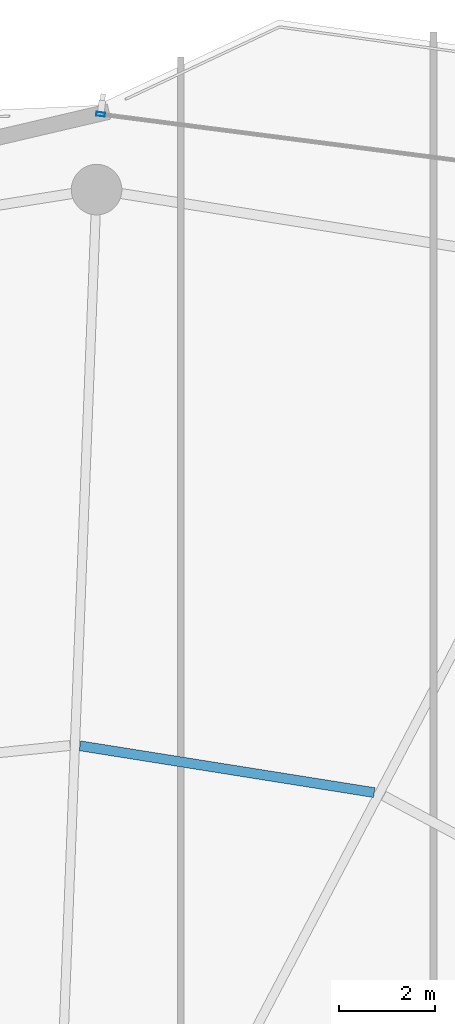
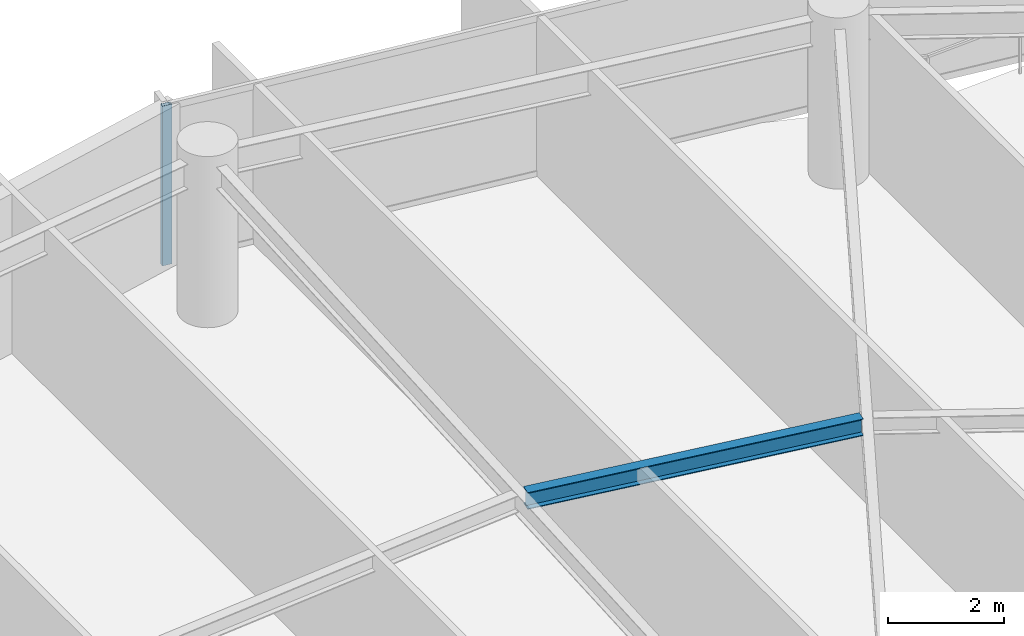
# One storey, part 20 of 31: 1 beam, 1 member, 1 element without a shape of its own.
"""IFC4 building model written with IfcOpenShell, lengths in metres."""

from ifc_helpers import new_model, si_unit, direction, frame, origin, origin_2d, place, context, subcontext, project, spatial, hollow_rectangle, i_section, extrude, material, layer, layer_set, material_profile, profile_set, type_object, element, aggregate, save


model = new_model("IFC4")

# Units and contexts
model_context = context("Model", 3, precision=1e-05, world=origin(), true_north=direction((0.0, 1.0)))
body_context = subcontext(model_context, "Body", "Model", "MODEL_VIEW")
ifc_project = project(units=[si_unit("LENGTHUNIT", "METRE"), si_unit("AREAUNIT", "SQUARE_METRE"), si_unit("VOLUMEUNIT", "CUBIC_METRE"), si_unit("PLANEANGLEUNIT", "RADIAN"), si_unit("MASSUNIT", "GRAM", prefix="KILO")], contexts=[model_context])

# Site, building, storey
site_placement = place(None, origin())
site = spatial("IfcSite", under=ifc_project, at=site_placement, CompositionType="ELEMENT")
building_placement = place(site_placement, origin())
building = spatial("IfcBuilding", under=site, at=building_placement, Name="Kazevale Care Tower and Concert Hall", CompositionType="ELEMENT")
storey_placement = place(building_placement, frame((0.0, 0.0, 202.800048828125)))
storey = spatial("IfcBuildingStorey", under=building, at=storey_placement, Name="L53", CompositionType="ELEMENT", Elevation=202.800048828125)

# Curtain wall, member
ifc_material_1 = material(Name="Aluminium 6063-T6 and Low-E Glass", Category="aluminium")
ifc_layer = layer(ifc_material_1, 0.179931640625)
ifc_layer_set = layer_set([ifc_layer], Name="Aluminium 6063-T6 and Low-E Glass")
curtain_wall_type = type_object("IfcCurtainWallType", Name="Waist & Upper Residential Curtain Wall CW-4", PredefinedType="NOTDEFINED", material=ifc_layer_set)
curtain_wall_placement = place(storey_placement, origin())
curtain_wall = element("IfcCurtainWall", 1, at=curtain_wall_placement, inside=storey, type_object=curtain_wall_type, Name="cw:L53:f16", PredefinedType="NOTDEFINED")
ifc_material_2 = material(Name="Aluminium 6063-T6", Category="aluminium")
ifc_material_profile_1 = material_profile(ifc_material_2, hollow_rectangle(XDim=0.080078125, YDim=0.179931640625, WallThickness=0.0048828125, at=origin_2d()), Name="ALU80x180x5")
ifc_profile_set_1 = profile_set([ifc_material_profile_1], Name="Aluminium 6063-T6")
member_type = type_object("IfcMemberType", Name="CW-4 Mullion ALU80x180x5", PredefinedType="MULLION", material=ifc_profile_set_1)
member_placement = place(storey_placement, frame((45.083740234375, 63.616943359375, 0.0), z_axis=(0.0, 0.0, 1.0), x_axis=(0.128098132904, 0.991761497713, 0.0)))
member = element("IfcMember", 2, at=member_placement, type_object=member_type, Name="CW-4 mullion 1", PredefinedType="MULLION", context=body_context, shape_type="SweptSolid", body=[
    extrude(hollow_rectangle(XDim=0.080078125, YDim=0.179931640625, WallThickness=0.0048828125, at=origin_2d()), origin(), (0.0, 0.0, 1.0), 3.35986328125),
])
aggregate(curtain_wall, [member])

# Beam
ifc_material_3 = material(Name="Steel ASTM A572 Gr 50", Category="steel")
ifc_material_profile_2 = material_profile(ifc_material_3, i_section(OverallWidth=0.205078125, OverallDepth=0.35400390625, WebThickness=0.009521484375, FlangeThickness=0.016845703125, at=origin_2d()), Name="W360x79")
ifc_profile_set_2 = profile_set([ifc_material_profile_2], Name="Steel ASTM A572 Gr 50")
beam_type = type_object("IfcBeamType", Name="Secondary Floor Joist W360x79", PredefinedType="JOIST", material=ifc_profile_set_2)
beam_placement = place(storey_placement, frame((50.77099609375, 49.51806640625, 3.182861328125), z_axis=(-0.987586560603, 0.157075731152, 0.0), x_axis=(-0.157075731152, -0.987586560603, 0.0)))
element("IfcBeam", 3, at=beam_placement, inside=storey, type_object=beam_type, Name="beam:L53:joist:04", PredefinedType="JOIST", context=body_context, shape_type="SweptSolid", body=[
    extrude(i_section(OverallWidth=0.205078125, OverallDepth=0.35400390625, WebThickness=0.009521484375, FlangeThickness=0.016845703125, at=origin_2d()), origin(), (0.0, 0.0, 1.0), 6.19384765625),
])

save(model, "model.ifc")
